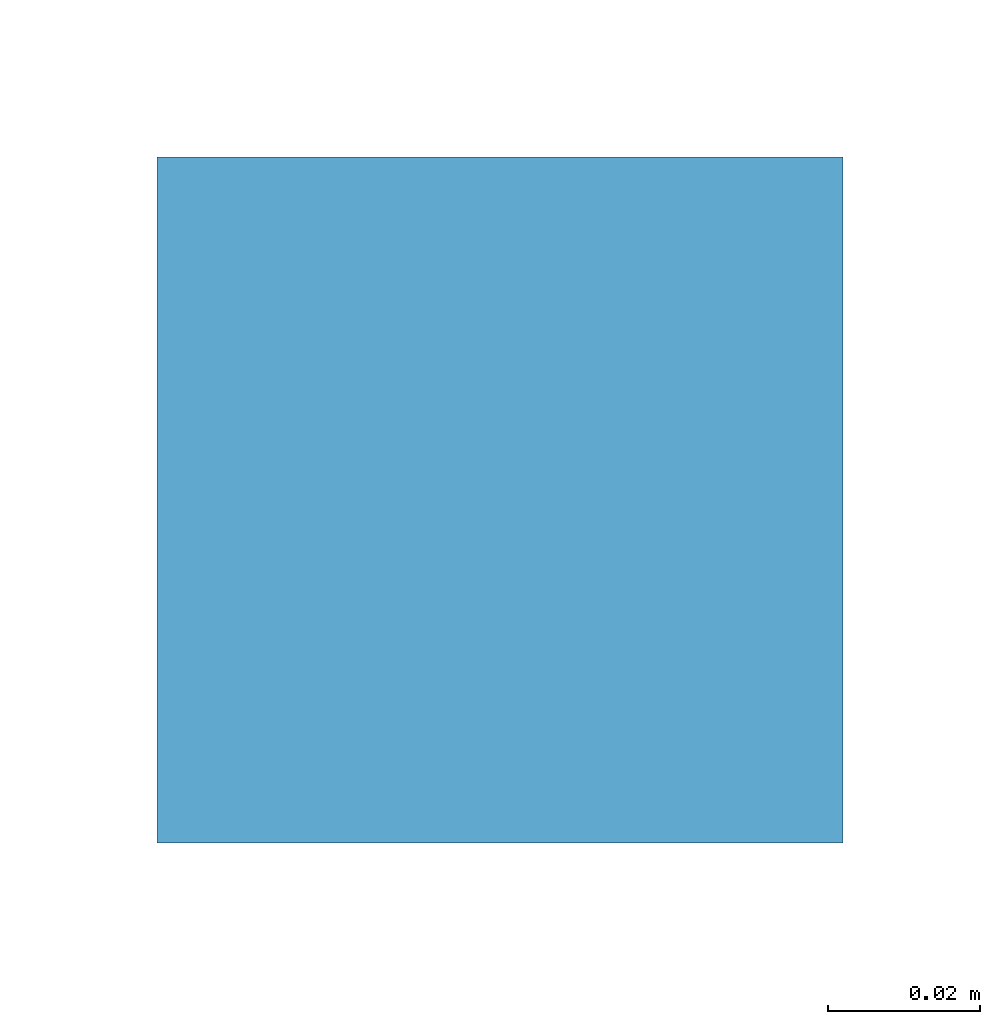
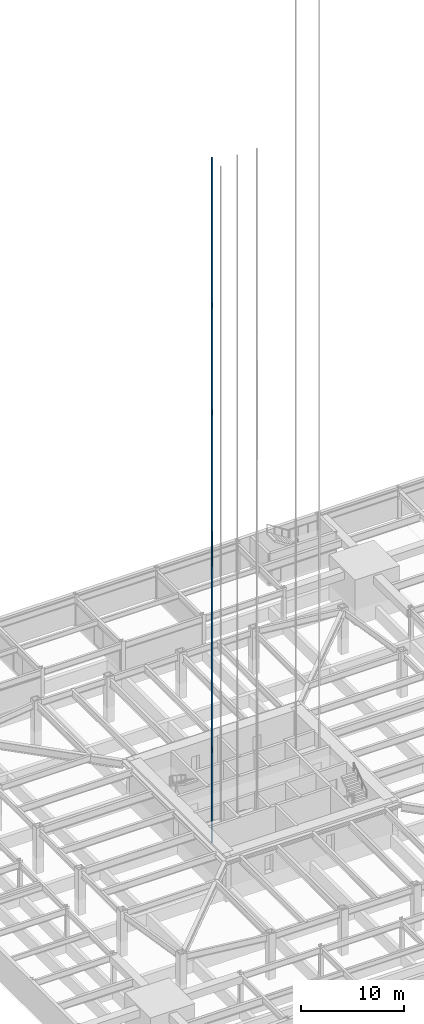
# One storey, part 21 of 35: 1 discrete accessory.
"""IFC4 building model written with IfcOpenShell, lengths in metres."""

from ifc_helpers import new_model, si_unit, direction, frame, origin, origin_2d, place, context, subcontext, project, spatial, rectangle, extrude, material, element, save


model = new_model("IFC4")

# Units and contexts
model_context = context("Model", 3, precision=1e-05, world=origin(), true_north=direction((0.0, 1.0)))
body_context = subcontext(model_context, "Body", "Model", "MODEL_VIEW")
ifc_project = project(units=[si_unit("LENGTHUNIT", "METRE"), si_unit("AREAUNIT", "SQUARE_METRE"), si_unit("VOLUMEUNIT", "CUBIC_METRE"), si_unit("PLANEANGLEUNIT", "RADIAN"), si_unit("MASSUNIT", "GRAM", prefix="KILO")], contexts=[model_context])

# Site, building, storey
site_placement = place(None, origin())
site = spatial("IfcSite", under=ifc_project, at=site_placement, CompositionType="ELEMENT")
building_placement = place(site_placement, origin())
building = spatial("IfcBuilding", under=site, at=building_placement, Name="Iwan Alto Co-Living Towers", CompositionType="ELEMENT")
storey_placement = place(building_placement, frame((0.0, 0.0, -7.199951171875)))
storey = spatial("IfcBuildingStorey", under=building, at=storey_placement, Name="B2", CompositionType="ELEMENT", Elevation=-7.199951171875)

# Discrete accessory
ifc_material = material(Name="Steel ASTM A36", Category="steel")
placement = place(storey_placement, frame((-6.83740234375, -3.0, 0.0), z_axis=(0.0, 0.0, 1.0), x_axis=(1.0, 0.0, 0.0)))
discrete_accessory_placement = place(placement, origin())
element("IfcDiscreteAccessory", 1, at=discrete_accessory_placement, inside=storey, material=ifc_material, Name="Lift P1-1 guide rail 2", ObjectType="Lift guide rail", PredefinedType="USERDEFINED", context=body_context, shape_type="SweptSolid", body=[
    extrude(rectangle(XDim=0.09, YDim=0.09, at=origin_2d()), frame((0.0, 0.85009765625, -0.199951171875)), (0.0, 0.0, 1.0), 80.800048828125),
])

save(model, "model.ifc")
